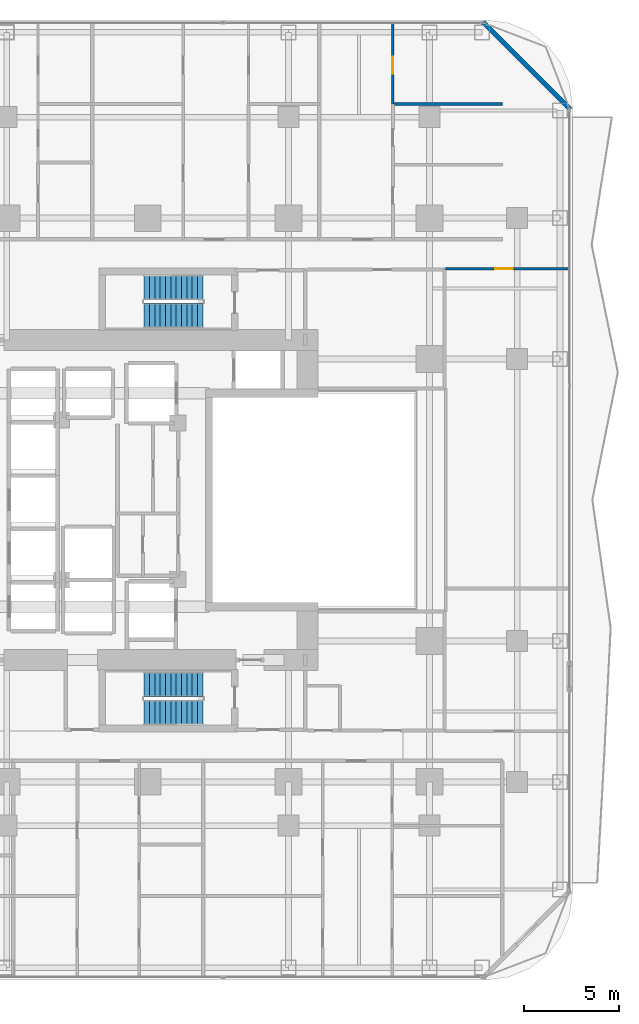
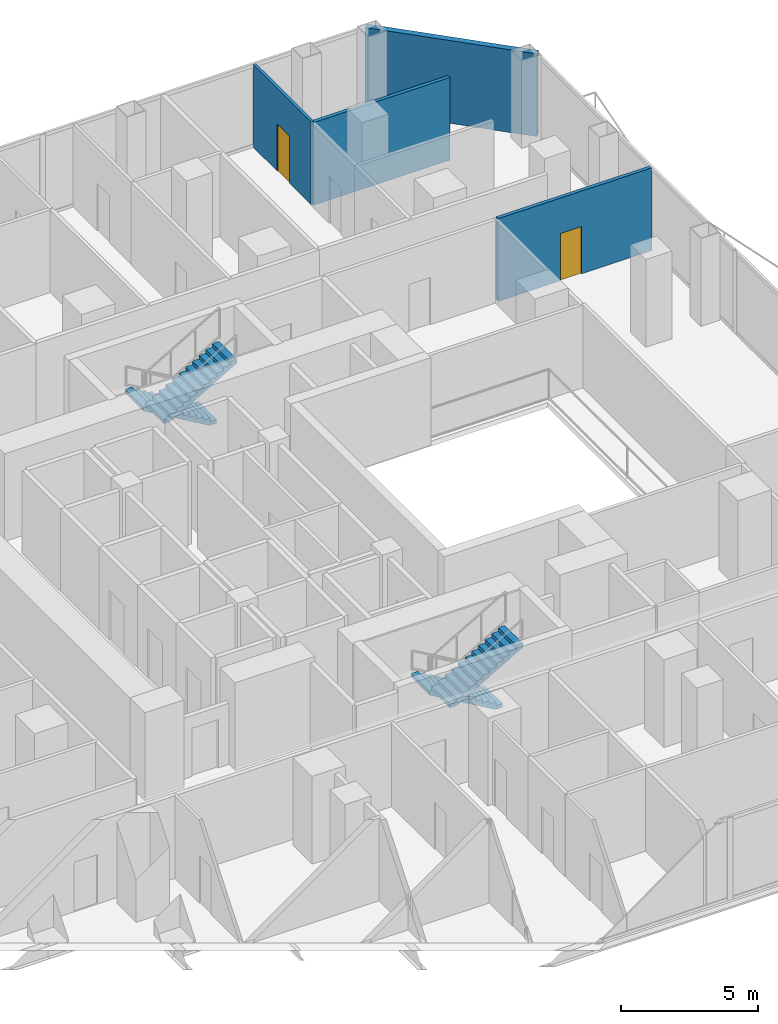
# One storey, part 24 of 29: 4 stair flights, 4 walls, 2 doors, 2 openings, 2 elements without a shape of their own.
"""IFC4 building model written with IfcOpenShell, lengths in metres."""

import ifcopenshell
import ifcopenshell.guid

model = None  # the IFC model being written
_history = None  # IfcOwnerHistory: only IFC2X3 demands one
_inside = {}  # id of a spatial element -> (the spatial element, [elements in it])
_under = {}  # id of a project, library or spatial element -> (it, [spatial elements below it])
_declared = {}  # id of a project -> (the project, [libraries it declares])
_typed = {}  # id of a type object -> (the type object, [elements of that type])
_made_of = {}  # id of a material, layer set ... -> (it, [elements and type objects made of it])


def new_model(schema):
    """Start an empty IFC model of exactly this schema.

    Asked for "IFC4X3", IfcOpenShell would pick the latest addendum, in which some entities
    have other attributes; the version numbers below select the first issue.
    IFC2X3 requires an IfcOwnerHistory on every rooted entity: one is made here for all.
    """
    global model, _history
    if schema == "IFC4X3":
        model = ifcopenshell.file(schema_version=(4, 3, 0, 0))
    else:
        model = ifcopenshell.file(schema=schema)
    _inside.clear()
    _under.clear()
    _declared.clear()
    _typed.clear()
    _made_of.clear()
    _history = None
    if model.schema == "IFC2X3":
        org = make("IfcOrganization", Name="unknown")
        user = make(
            "IfcPersonAndOrganization",
            ThePerson=make("IfcPerson", FamilyName="unknown"),
            TheOrganization=org,
        )
        app = make(
            "IfcApplication",
            ApplicationDeveloper=org,
            Version="unknown",
            ApplicationFullName="unknown",
            ApplicationIdentifier="unknown",
        )
        _history = make(
            "IfcOwnerHistory",
            OwningUser=user,
            OwningApplication=app,
            ChangeAction="ADDED",
            CreationDate=0,
        )
    return model


def make(cls, **values):
    """One entity of the class cls with the attributes given. An attribute that is None is left unset."""
    return model.create_entity(
        cls, **{name: value for name, value in values.items() if value is not None}
    )


def rooted(cls, **values):
    """An entity with a GlobalId (a new one), such as an element, a storey or a relation."""
    return make(cls, GlobalId=ifcopenshell.guid.new(), OwnerHistory=_history, **values)


def si_unit(unit_type, name, prefix=None):
    """IfcSIUnit, for example si_unit("LENGTHUNIT", "METRE", prefix="MILLI")."""
    return make("IfcSIUnit", UnitType=unit_type, Prefix=prefix, Name=name)


def assignment(units):
    """IfcUnitAssignment: the units of a project."""
    return None if units is None else make("IfcUnitAssignment", Units=units)


def point(xyz):
    """IfcCartesianPoint."""
    return None if xyz is None else make("IfcCartesianPoint", Coordinates=xyz)


def direction(xyz):
    """IfcDirection."""
    return None if xyz is None else make("IfcDirection", DirectionRatios=xyz)


def frame(location, z_axis=None, x_axis=None):
    """IfcAxis2Placement3D, a coordinate frame: its origin and axes. An axis left out is left unset."""
    return make(
        "IfcAxis2Placement3D",
        Location=point(location),
        Axis=direction(z_axis),
        RefDirection=direction(x_axis),
    )


def frame_2d(location, x_axis=None):
    """IfcAxis2Placement2D, a coordinate frame in the plane: its origin and x axis."""
    return make(
        "IfcAxis2Placement2D", Location=point(location), RefDirection=direction(x_axis)
    )


def origin():
    """The frame at (0, 0, 0) with its axes left unset."""
    return frame((0.0, 0.0, 0.0))


def place(relative_to, where):
    """IfcLocalPlacement: puts the frame where relative to a parent placement (None: the world)."""
    return make(
        "IfcLocalPlacement", PlacementRelTo=relative_to, RelativePlacement=where
    )


def context(
    kind, dimensions, precision=None, world=None, true_north=None, identifier=None
):
    """IfcGeometricRepresentationContext, for example the 3D "Model" context."""
    return make(
        "IfcGeometricRepresentationContext",
        ContextIdentifier=identifier,
        ContextType=kind,
        CoordinateSpaceDimension=dimensions,
        Precision=precision,
        WorldCoordinateSystem=world,
        TrueNorth=true_north,
    )


def subcontext(parent, identifier, kind, view, scale=None):
    """IfcGeometricRepresentationSubContext, for example "Body" below "Model"."""
    return make(
        "IfcGeometricRepresentationSubContext",
        ContextIdentifier=identifier,
        ContextType=kind,
        ParentContext=parent,
        TargetScale=scale,
        TargetView=view,
    )


def project(units=None, contexts=None):
    """IfcProject with its units and contexts."""
    return rooted(
        "IfcProject",
        Name="project",
        RepresentationContexts=contexts,
        UnitsInContext=assignment(units),
    )


def spatial(cls, under=None, at=None, **own):
    """A site, building, storey or space (cls), placed at a placement, below another one or the project."""
    s = rooted(cls, ObjectPlacement=at, **own)
    if under is not None:
        _under.setdefault(under.id(), (under, []))[1].append(s)
    return s


def polyline(points):
    """IfcPolyline through the points."""
    return make("IfcPolyline", Points=[point(p) for p in points])


def profile(cls, at=None, kind="AREA", **sizes):
    """A parametric profile (cls). Its sizes go by their IFC names, for example OverallWidth=200.0."""
    return make(cls, ProfileType=kind, Position=at, **sizes)


def rectangle(**sizes):
    """IfcRectangleProfileDef."""
    return profile("IfcRectangleProfileDef", **sizes)


def outline(outer, holes=None, kind="AREA"):
    """IfcArbitraryClosedProfileDef: a profile drawn as a closed curve; with holes, ...WithVoids."""
    if holes is None:
        return make("IfcArbitraryClosedProfileDef", ProfileType=kind, OuterCurve=outer)
    return make(
        "IfcArbitraryProfileDefWithVoids",
        ProfileType=kind,
        OuterCurve=outer,
        InnerCurves=holes,
    )


def extrude(swept, where, along, depth):
    """IfcExtrudedAreaSolid: the profile swept, set in the frame where, extruded along a direction by depth."""
    return make(
        "IfcExtrudedAreaSolid",
        SweptArea=swept,
        Position=where,
        ExtrudedDirection=direction(along),
        Depth=depth,
    )


def shape(context_of_items, identifier, shape_type, items):
    """IfcShapeRepresentation: the items that make up one representation, for example the "Body"."""
    return make(
        "IfcShapeRepresentation",
        ContextOfItems=context_of_items,
        RepresentationIdentifier=identifier,
        RepresentationType=shape_type,
        Items=items,
    )


def material(Name=None, Category=None):
    """IfcMaterial."""
    return make("IfcMaterial", Name=Name, Category=Category)


def layer(
    of_material, thickness, ventilated=None, Name=None, Category=None, Priority=None
):
    """IfcMaterialLayer: one layer of a wall or slab, of a material (None: an air gap)."""
    return make(
        "IfcMaterialLayer",
        Material=of_material,
        LayerThickness=thickness,
        IsVentilated=ventilated,
        Name=Name,
        Category=Category,
        Priority=Priority,
    )


def layer_set(layers, Name=None):
    """IfcMaterialLayerSet."""
    return make("IfcMaterialLayerSet", MaterialLayers=layers, LayerSetName=Name)


def made_of(thing, what):
    """Note that an element or type object is made of a material, layer set ...; save() writes the relation."""
    if what is not None:
        _made_of.setdefault(what.id(), (what, []))[1].append(thing)
    return thing


def type_object(cls, material=None, **own):
    """A type object (cls), such as IfcWallType, which elements share."""
    return made_of(rooted(cls, **own), material)


def element(
    cls,
    number,
    at=None,
    inside=None,
    cuts=None,
    type_object=None,
    material=None,
    context=None,
    identifier="Body",
    shape_type=None,
    held_by="IfcProductDefinitionShape",
    body=None,
    shapes=None,
    **own,
):
    """One element of the class cls, such as IfcWall. Its Tag is "e" and its number.

    at: its placement. inside: the storey or other place that contains it. cuts: it is an
    opening in that element (IfcRelVoidsElement). A single representation is given by context,
    identifier, shape_type and body (its items); several are given by shapes. held_by: the class
    of the entity that holds the representations. save() writes the other relations.
    """
    e = rooted(cls, Tag="e%d" % number, ObjectPlacement=at, **own)
    if body is not None:
        shapes = [shape(context, identifier, shape_type, body)]
    if shapes is not None:
        e.Representation = make(held_by, Representations=shapes)
    if inside is not None:
        _inside.setdefault(inside.id(), (inside, []))[1].append(e)
    if cuts is not None:
        rooted(
            "IfcRelVoidsElement", RelatingBuildingElement=cuts, RelatedOpeningElement=e
        )
    if type_object is not None:
        _typed.setdefault(type_object.id(), (type_object, []))[1].append(e)
    return made_of(e, material)


def fill(opening, filler):
    """IfcRelFillsElement: the door or window that sits in an opening."""
    return rooted(
        "IfcRelFillsElement",
        RelatingOpeningElement=opening,
        RelatedBuildingElement=filler,
    )


def aggregate(whole, parts):
    """IfcRelAggregates: a whole, such as a stair, and the parts it consists of."""
    return rooted("IfcRelAggregates", RelatingObject=whole, RelatedObjects=parts)


def save(model, path):
    """Write the relations noted so far, then the file.

    IfcRelAggregates (storeys below a building ...), IfcRelContainedInSpatialStructure (elements
    in a storey), IfcRelDefinesByType, IfcRelAssociatesMaterial and IfcRelDeclares: one each for
    every whole, place, type object, material and project.
    """
    for whole, parts in _under.values():
        aggregate(whole, parts)
    for where, things in _inside.values():
        rooted(
            "IfcRelContainedInSpatialStructure",
            RelatedElements=things,
            RelatingStructure=where,
        )
    for kind, things in _typed.values():
        rooted("IfcRelDefinesByType", RelatedObjects=things, RelatingType=kind)
    for what, things in _made_of.values():
        rooted("IfcRelAssociatesMaterial", RelatedObjects=things, RelatingMaterial=what)
    for by, libraries in _declared.values():
        rooted("IfcRelDeclares", RelatingContext=by, RelatedDefinitions=libraries)
    model.write(path)


model = new_model("IFC4")

# Units and contexts
model_context = context("Model", 3, precision=1e-05, world=origin(), true_north=direction((0.0, 1.0)))
body_context = subcontext(model_context, "Body", "Model", "MODEL_VIEW")
ifc_project = project(units=[si_unit("LENGTHUNIT", "METRE"), si_unit("AREAUNIT", "SQUARE_METRE"), si_unit("VOLUMEUNIT", "CUBIC_METRE"), si_unit("PLANEANGLEUNIT", "RADIAN"), si_unit("MASSUNIT", "GRAM", prefix="KILO")], contexts=[model_context])

# Site, building, storey
site_placement = place(None, origin())
site = spatial("IfcSite", under=ifc_project, at=site_placement, CompositionType="ELEMENT")
building_placement = place(site_placement, origin())
building = spatial("IfcBuilding", under=site, at=building_placement, Name="Khorvyn Point Tower", CompositionType="ELEMENT")
storey_placement = place(building_placement, frame((0.0, 0.0, 69.60009765625)))
storey = spatial("IfcBuildingStorey", under=building, at=storey_placement, Name="L18", CompositionType="ELEMENT", Elevation=69.60009765625)

# Wall
ifc_material_1 = material(Name="Pale anodised aluminium rainscreen on steel stud", Category="steel")
ifc_layer_1 = layer(ifc_material_1, 0.239990234375)
ifc_layer_set_1 = layer_set([ifc_layer_1], Name="Anodised Aluminium Insulated Corner Spandrel Wall 240")
wall_type_1 = type_object("IfcWallType", Name="Anodised Aluminium Insulated Corner Spandrel Wall 240", PredefinedType="SOLIDWALL", material=ifc_layer_set_1)
wall_1_placement = place(storey_placement, frame((17.607666015625, 25.09228515625, 0.0), z_axis=(0.0, 0.0, 1.0), x_axis=(0.707106781187, -0.707106781187, 0.0)))
element("IfcWall", 1, at=wall_1_placement, inside=storey, type_object=wall_type_1, Name="L18 Rounded Corner Wall NE", PredefinedType="SOLIDWALL", context=body_context, shape_type="SweptSolid", body=[
    extrude(rectangle(XDim=6.48388671875, YDim=0.239990234375, at=frame_2d((3.241943359375, 0.0))), origin(), (0.0, 0.0, 1.0), 3.679931640625),
])

# Wall, opening, door
ifc_material_2 = material(Name="Gypsum plasterboard on steel stud", Category="steel")
ifc_layer_2 = layer(ifc_material_2, 0.1201171875)
ifc_layer_set_2 = layer_set([ifc_layer_2], Name="Gypsum Acoustic Stud Room Partition Wall 120")
wall_type_2 = type_object("IfcWallType", Name="Gypsum Acoustic Stud Room Partition Wall 120", PredefinedType="PARTITIONING", material=ifc_layer_set_2)
wall_2_placement = place(storey_placement, frame((12.875, 20.7900390625, 0.0), z_axis=(0.0, 0.0, 1.0), x_axis=(0.0, 1.0, 0.0)))
wall_2 = element("IfcWall", 2, at=wall_2_placement, inside=storey, type_object=wall_type_2, Name="Wall", PredefinedType="PARTITIONING", context=body_context, shape_type="SweptSolid", body=[
    extrude(rectangle(XDim=4.239990234375, YDim=0.1201171875, at=frame_2d((2.1201171875, 0.0))), origin(), (0.0, 0.0, 1.0), 3.679931640625),
])
opening_1_placement = place(wall_2_placement, frame((1.581298828125, 0.0, 0.0)))
opening_1 = element("IfcOpeningElement", 3, at=opening_1_placement, cuts=wall_2, Name="Opening ID-RM90", PredefinedType="OPENING", context=body_context, shape_type="SweptSolid", body=[
    extrude(rectangle(XDim=0.89990234375, YDim=2.10009765625, at=frame_2d((0.449951171875, 1.050048828125))), frame((0.0, 0.070068359375, 0.0), z_axis=(0.0, -1.0, 0.0), x_axis=(1.0, 0.0, 0.0)), (0.0, 0.0, 1.0), 0.14013671875),
])
ifc_material_3 = material(Name="Engineered oak veneer timber", Category="wood")
door_type = type_object("IfcDoorType", Name="Flush Engineered Timber Room Door 900x2100", OperationType="NOTDEFINED", PredefinedType="DOOR", material=ifc_material_3)
door_1_placement = place(opening_1_placement, origin())
door_1 = element("IfcDoor", 4, at=door_1_placement, inside=storey, type_object=door_type, Name="Door", OperationType="SINGLE_SWING_RIGHT", OverallHeight=2.10009765625, OverallWidth=0.89990234375, PredefinedType="DOOR", context=body_context, shape_type="SweptSolid", body=[
    extrude(rectangle(XDim=0.89990234375, YDim=2.10009765625, at=frame_2d((0.449951171875, 1.050048828125))), frame((0.0, 0.02490234375, 0.0), z_axis=(0.0, -1.0, 0.0), x_axis=(1.0, 0.0, 0.0)), (0.0, 0.0, 1.0), 0.050048828125),
])
fill(opening_1, door_1)

ifc_material_4 = material(Name="Moisture-resistant gypsum and cement board", Category="gypsum")
ifc_layer_3 = layer(ifc_material_4, 0.14990234375)
ifc_layer_set_3 = layer_set([ifc_layer_3], Name="Moisture-Resistant Wet-Room Partition Wall 150")
wall_type_3 = type_object("IfcWallType", Name="Moisture-Resistant Wet-Room Partition Wall 150", PredefinedType="PARTITIONING", material=ifc_layer_set_3)
wall_3_placement = place(storey_placement, frame((15.64990234375, 12.139892578125, 0.0), z_axis=(0.0, 0.0, 1.0), x_axis=(1.0, 0.0, 0.0)))
wall_3 = element("IfcWall", 5, at=wall_3_placement, inside=storey, type_object=wall_type_3, Name="Wall", PredefinedType="PARTITIONING", context=body_context, shape_type="SweptSolid", body=[
    extrude(rectangle(XDim=6.47021484375, YDim=0.14990234375, at=frame_2d((3.235107421875, 0.0))), origin(), (0.0, 0.0, 1.0), 3.679931640625),
])
opening_2_placement = place(wall_3_placement, frame((2.610107421875, 0.0, 0.0)))
opening_2 = element("IfcOpeningElement", 6, at=opening_2_placement, cuts=wall_3, Name="Opening ID-RM90", PredefinedType="OPENING", context=body_context, shape_type="SweptSolid", body=[
    extrude(rectangle(XDim=0.89990234375, YDim=2.10009765625, at=frame_2d((0.449951171875, 1.050048828125))), frame((0.0, 0.0849609375, 0.0), z_axis=(0.0, -1.0, 0.0), x_axis=(1.0, 0.0, 0.0)), (0.0, 0.0, 1.0), 0.169921875),
])
door_2_placement = place(opening_2_placement, origin())
door_2 = element("IfcDoor", 7, at=door_2_placement, inside=storey, type_object=door_type, Name="Door", OperationType="SINGLE_SWING_RIGHT", OverallHeight=2.10009765625, OverallWidth=0.89990234375, PredefinedType="DOOR", context=body_context, shape_type="SweptSolid", body=[
    extrude(rectangle(XDim=0.89990234375, YDim=2.10009765625, at=frame_2d((0.449951171875, 1.050048828125))), frame((0.0, 0.02490234375, 0.0), z_axis=(0.0, -1.0, 0.0), x_axis=(1.0, 0.0, 0.0)), (0.0, 0.0, 1.0), 0.050048828125),
])
fill(opening_2, door_2)

# Wall
wall_4_placement = place(storey_placement, frame((12.875, 20.7900390625, 0.0), z_axis=(0.0, 0.0, 1.0), x_axis=(1.0, 0.0, 0.0)))
element("IfcWall", 8, at=wall_4_placement, inside=storey, type_object=wall_type_3, Name="Wall", PredefinedType="PARTITIONING", context=body_context, shape_type="SweptSolid", body=[
    extrude(rectangle(XDim=5.7451171875, YDim=0.14990234375, at=frame_2d((2.87255859375, 0.0))), origin(), (0.0, 0.0, 1.0), 3.679931640625),
])

# Stair, stair flights
ifc_material_5 = material(Name="Concrete C40/50", Category="concrete")
stair_type = type_object("IfcStairType", Name="Tower Concrete C40/50 Dogleg Exit Stair", PredefinedType="HALF_TURN_STAIR", material=ifc_material_5)
stair_1_placement = place(storey_placement, origin())
stair_1 = element("IfcStair", 9, at=stair_1_placement, inside=storey, type_object=stair_type, Name="L18 Tower Smokeproof Exit Stair South", PredefinedType="HALF_TURN_STAIR")
stair_flight_type = type_object("IfcStairFlightType", Name="Tower Concrete C40/50 Stair Flight", PredefinedType="STRAIGHT", material=ifc_material_5)
stair_flight_1_placement = place(storey_placement, frame((2.89990234375, -9.679931640625, 0.0), z_axis=(0.0, 0.0, 1.0), x_axis=(-1.0, 0.0, 0.0)))
stair_flight_1 = element("IfcStairFlight", 10, at=stair_flight_1_placement, type_object=stair_flight_type, Name="ST-01 flight 1", NumberOfRisers=12, NumberOfTreads=11, PredefinedType="STRAIGHT", RiserHeight=0.1625, TreadLength=0.28, context=body_context, shape_type="SweptSolid", body=[
    extrude(outline(polyline([(0.0, 0.0), (0.0, 0.16259765625), (0.280029296875, 0.16259765625), (0.280029296875, 0.324951171875), (0.56005859375, 0.324951171875), (0.56005859375, 0.487548828125), (0.840087890625, 0.487548828125), (0.840087890625, 0.64990234375), (1.1201171875, 0.64990234375), (1.1201171875, 0.8125), (1.39990234375, 0.8125), (1.39990234375, 0.97509765625), (1.679931640625, 0.97509765625), (1.679931640625, 1.137451171875), (1.9599609375, 1.137451171875), (1.9599609375, 1.300048828125), (2.239990234375, 1.300048828125), (2.239990234375, 1.46240234375), (2.52001953125, 1.46240234375), (2.52001953125, 1.625), (2.800048828125, 1.625), (2.800048828125, 1.78759765625), (3.080078125, 1.78759765625), (3.080078125, 1.949951171875), (3.080078125, 1.6142578125), (0.298583984375, 0.0), (0.0, 0.0)])), frame((0.0, 0.66015625, 0.0), z_axis=(0.0, -1.0, 0.0), x_axis=(1.0, 0.0, 0.0)), (0.0, 0.0, 1.0), 1.320068359375),
])
stair_flight_2_placement = place(storey_placement, frame((-0.179931640625, -11.159912109375, 1.949951171875), z_axis=(0.0, 0.0, 1.0), x_axis=(1.0, 0.0, 0.0)))
stair_flight_2 = element("IfcStairFlight", 11, at=stair_flight_2_placement, type_object=stair_flight_type, Name="ST-01 flight 2", NumberOfRisers=12, NumberOfTreads=11, PredefinedType="STRAIGHT", RiserHeight=0.1625, TreadLength=0.28, context=body_context, shape_type="SweptSolid", body=[
    extrude(outline(polyline([(0.0, 0.0), (0.0, 0.16259765625), (0.280029296875, 0.16259765625), (0.280029296875, 0.324951171875), (0.56005859375, 0.324951171875), (0.56005859375, 0.487548828125), (0.840087890625, 0.487548828125), (0.840087890625, 0.64990234375), (1.1201171875, 0.64990234375), (1.1201171875, 0.8125), (1.39990234375, 0.8125), (1.39990234375, 0.97509765625), (1.679931640625, 0.97509765625), (1.679931640625, 1.137451171875), (1.9599609375, 1.137451171875), (1.9599609375, 1.300048828125), (2.239990234375, 1.300048828125), (2.239990234375, 1.46240234375), (2.52001953125, 1.46240234375), (2.52001953125, 1.625), (2.800048828125, 1.625), (2.800048828125, 1.78759765625), (3.080078125, 1.78759765625), (3.080078125, 1.949951171875), (3.080078125, 1.6142578125), (0.298583984375, 0.0), (0.0, 0.0)])), frame((0.0, 0.66015625, 0.0), z_axis=(0.0, -1.0, 0.0), x_axis=(1.0, 0.0, 0.0)), (0.0, 0.0, 1.0), 1.320068359375),
])
aggregate(stair_1, [stair_flight_1, stair_flight_2])

stair_2_placement = place(storey_placement, origin())
stair_2 = element("IfcStair", 12, at=stair_2_placement, inside=storey, type_object=stair_type, Name="L18 Tower Smokeproof Exit Stair North", PredefinedType="HALF_TURN_STAIR")
stair_flight_3_placement = place(storey_placement, frame((2.89990234375, 11.159912109375, 0.0), z_axis=(0.0, 0.0, 1.0), x_axis=(-1.0, 0.0, 0.0)))
stair_flight_3 = element("IfcStairFlight", 13, at=stair_flight_3_placement, type_object=stair_flight_type, Name="ST-02 flight 1", NumberOfRisers=12, NumberOfTreads=11, PredefinedType="STRAIGHT", RiserHeight=0.1625, TreadLength=0.28, context=body_context, shape_type="SweptSolid", body=[
    extrude(outline(polyline([(0.0, 0.0), (0.0, 0.16259765625), (0.280029296875, 0.16259765625), (0.280029296875, 0.324951171875), (0.56005859375, 0.324951171875), (0.56005859375, 0.487548828125), (0.840087890625, 0.487548828125), (0.840087890625, 0.64990234375), (1.1201171875, 0.64990234375), (1.1201171875, 0.8125), (1.39990234375, 0.8125), (1.39990234375, 0.97509765625), (1.679931640625, 0.97509765625), (1.679931640625, 1.137451171875), (1.9599609375, 1.137451171875), (1.9599609375, 1.300048828125), (2.239990234375, 1.300048828125), (2.239990234375, 1.46240234375), (2.52001953125, 1.46240234375), (2.52001953125, 1.625), (2.800048828125, 1.625), (2.800048828125, 1.78759765625), (3.080078125, 1.78759765625), (3.080078125, 1.949951171875), (3.080078125, 1.6142578125), (0.298583984375, 0.0), (0.0, 0.0)])), frame((0.0, 0.66015625, 0.0), z_axis=(0.0, -1.0, 0.0), x_axis=(1.0, 0.0, 0.0)), (0.0, 0.0, 1.0), 1.320068359375),
])
stair_flight_4_placement = place(storey_placement, frame((-0.179931640625, 9.679931640625, 1.949951171875), z_axis=(0.0, 0.0, 1.0), x_axis=(1.0, 0.0, 0.0)))
stair_flight_4 = element("IfcStairFlight", 14, at=stair_flight_4_placement, type_object=stair_flight_type, Name="ST-02 flight 2", NumberOfRisers=12, NumberOfTreads=11, PredefinedType="STRAIGHT", RiserHeight=0.1625, TreadLength=0.28, context=body_context, shape_type="SweptSolid", body=[
    extrude(outline(polyline([(0.0, 0.0), (0.0, 0.16259765625), (0.280029296875, 0.16259765625), (0.280029296875, 0.324951171875), (0.56005859375, 0.324951171875), (0.56005859375, 0.487548828125), (0.840087890625, 0.487548828125), (0.840087890625, 0.64990234375), (1.1201171875, 0.64990234375), (1.1201171875, 0.8125), (1.39990234375, 0.8125), (1.39990234375, 0.97509765625), (1.679931640625, 0.97509765625), (1.679931640625, 1.137451171875), (1.9599609375, 1.137451171875), (1.9599609375, 1.300048828125), (2.239990234375, 1.300048828125), (2.239990234375, 1.46240234375), (2.52001953125, 1.46240234375), (2.52001953125, 1.625), (2.800048828125, 1.625), (2.800048828125, 1.78759765625), (3.080078125, 1.78759765625), (3.080078125, 1.949951171875), (3.080078125, 1.6142578125), (0.298583984375, 0.0), (0.0, 0.0)])), frame((0.0, 0.66015625, 0.0), z_axis=(0.0, -1.0, 0.0), x_axis=(1.0, 0.0, 0.0)), (0.0, 0.0, 1.0), 1.320068359375),
])
aggregate(stair_2, [stair_flight_3, stair_flight_4])

save(model, "model.ifc")
